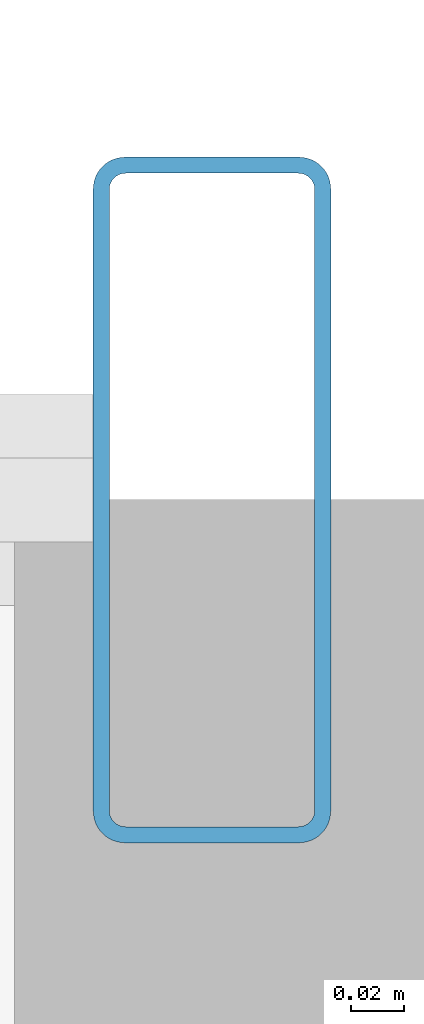
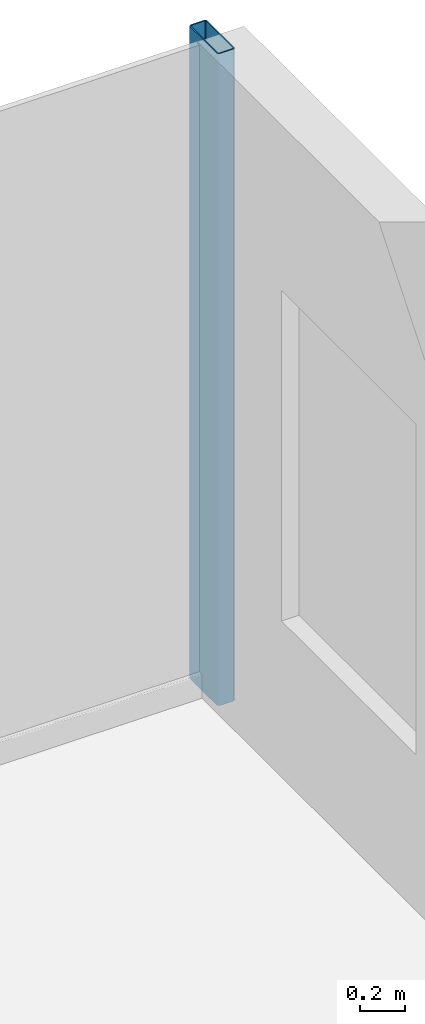
# One storey, part 17 of 29: 1 member, 1 element without a shape of its own.
"""IFC4 building model written with IfcOpenShell, lengths in metres."""

from ifc_helpers import new_model, si_unit, direction, frame, origin, origin_2d, place, context, subcontext, project, spatial, hollow_rectangle, extrude, source, transform, mapped, material, layer, layer_set, material_profile, profile_set, type_object, element, aggregate, save


model = new_model("IFC4")

# Units and contexts
model_context = context("Model", 3, precision=1e-05, world=origin(), true_north=direction((0.0, 1.0)))
body_context = subcontext(model_context, "Body", "Model", "MODEL_VIEW")
ifc_project = project(units=[si_unit("LENGTHUNIT", "METRE"), si_unit("AREAUNIT", "SQUARE_METRE"), si_unit("VOLUMEUNIT", "CUBIC_METRE"), si_unit("PLANEANGLEUNIT", "RADIAN"), si_unit("MASSUNIT", "GRAM", prefix="KILO")], contexts=[model_context])

# Site, building, storey
site_placement = place(None, origin())
site = spatial("IfcSite", under=ifc_project, at=site_placement, CompositionType="ELEMENT")
building_placement = place(site_placement, origin())
building = spatial("IfcBuilding", under=site, at=building_placement, Name="Nefas-Gora Pilgrimage Tower", CompositionType="ELEMENT")
storey_placement = place(building_placement, frame((0.0, 0.0, 78.60009765625)))
storey = spatial("IfcBuildingStorey", under=building, at=storey_placement, Name="L18", CompositionType="ELEMENT", Elevation=78.60009765625)

# Curtain wall, member
ifc_material_1 = material(Name="Dark ceramic-fritted solar-control aluminium-glass curtain wall", Category="aluminium")
ifc_layer = layer(ifc_material_1, 0.219970703125)
ifc_layer_set = layer_set([ifc_layer], Name="Dark ceramic-fritted solar-control aluminium-glass curtain wall")
curtain_wall_type = type_object("IfcCurtainWallType", Name="CW-SYS-2", PredefinedType="NOTDEFINED", material=ifc_layer_set)
curtain_wall_placement = place(storey_placement, origin())
curtain_wall = element("IfcCurtainWall", 1, at=curtain_wall_placement, inside=storey, type_object=curtain_wall_type, Name="L18 Unitised Curtain Wall CW2", PredefinedType="NOTDEFINED")
ifc_material_2 = material(Name="Anodised architectural aluminium", Category="aluminium")
ifc_material_profile = material_profile(ifc_material_2, hollow_rectangle(XDim=0.090087890625, YDim=0.260009765625, WallThickness=0.006103515625, InnerFilletRadius=0.006103515625, OuterFilletRadius=0.011962890625, at=origin_2d()), Name="ALU MULLION 90x260")
ifc_profile_set = profile_set([ifc_material_profile], Name="Anodised architectural aluminium")
member_type = type_object("IfcMemberType", Name="CWM-MUL-2", PredefinedType="MULLION", material=ifc_profile_set)
shared_shape = source(origin(), body_context, "Body", "SweptSolid", [
    extrude(hollow_rectangle(XDim=0.090087890625, YDim=0.260009765625, WallThickness=0.006103515625, InnerFilletRadius=0.006103515625, OuterFilletRadius=0.011962890625, at=origin_2d()), origin(), (0.0, 0.0, 1.0), 3.5498046875),
])
member_placement = place(storey_placement, frame((28.824951171875, 23.02001953125, 0.0), z_axis=(0.0, 0.0, 1.0), x_axis=(-1.0, 0.0, 0.0)))
member = element("IfcMember", 2, at=member_placement, type_object=member_type, Name="CW2 Mullion 1", PredefinedType="MULLION", context=body_context, shape_type="MappedRepresentation", body=[
    mapped(shared_shape, transform((0.0, 0.0, 0.0), x_axis=(1.0, 0.0, 0.0), y_axis=(0.0, 1.0, 0.0), z_axis=(0.0, 0.0, 1.0), scale=1.0)),
])
aggregate(curtain_wall, [member])

save(model, "model.ifc")
